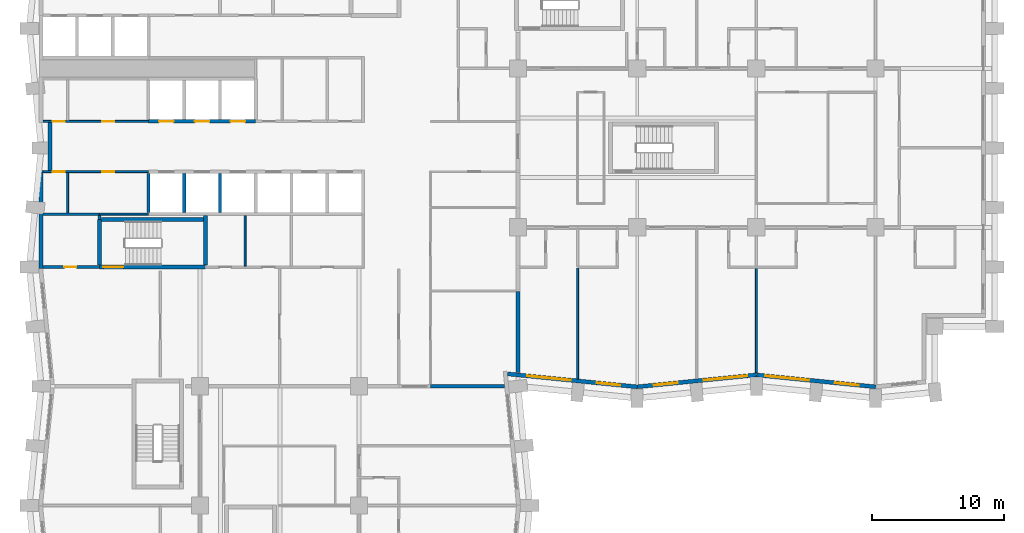
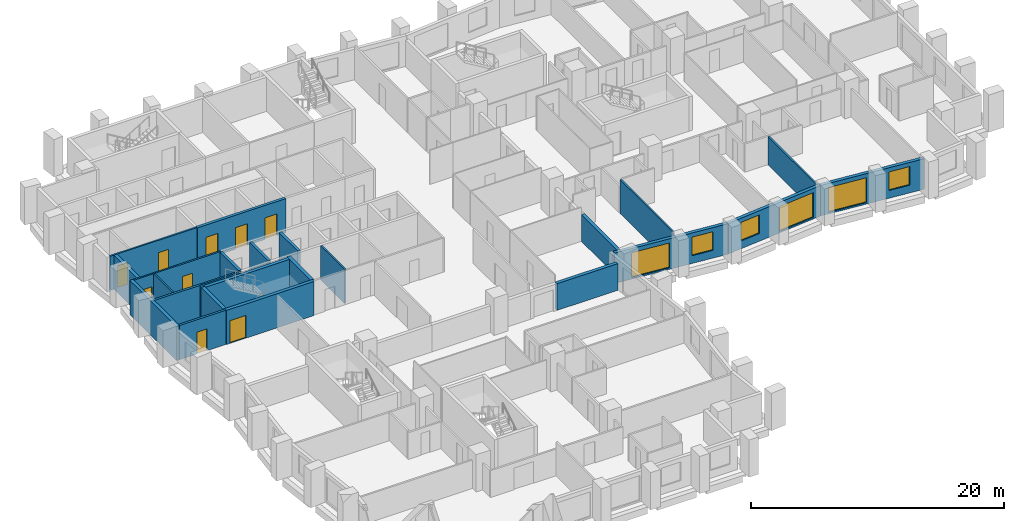
# One storey, part 5 of 13: 25 walls, 9 doors, 6 windows, 15 openings.
"""IFC4 building model written with IfcOpenShell, lengths in metres."""

from ifc_helpers import new_model, si_unit, direction, frame, frame_2d, origin, place, context, subcontext, project, spatial, rectangle, extrude, material, layer, layer_set, type_object, element, fill, save


model = new_model("IFC4")

# Units and contexts
model_context = context("Model", 3, precision=1e-05, world=origin(), true_north=direction((0.0, 1.0)))
body_context = subcontext(model_context, "Body", "Model", "MODEL_VIEW")
ifc_project = project(units=[si_unit("LENGTHUNIT", "METRE"), si_unit("AREAUNIT", "SQUARE_METRE"), si_unit("VOLUMEUNIT", "CUBIC_METRE"), si_unit("PLANEANGLEUNIT", "RADIAN"), si_unit("MASSUNIT", "GRAM", prefix="KILO")], contexts=[model_context])

# Site, building, storey
site_placement = place(None, origin())
site = spatial("IfcSite", under=ifc_project, at=site_placement, CompositionType="ELEMENT")
building_placement = place(site_placement, origin())
building = spatial("IfcBuilding", under=site, at=building_placement, Name="Brondeck Convention Tower", CompositionType="ELEMENT")
storey_placement = place(building_placement, frame((0.0, 0.0, 48.300048828125)))
storey = spatial("IfcBuildingStorey", under=building, at=storey_placement, Name="L09", CompositionType="ELEMENT", Elevation=48.300048828125)

# Walls
ifc_material_1 = material(Name="Concrete compartment wall C30/37", Category="concrete")
ifc_layer_1 = layer(ifc_material_1, 0.300048828125)
ifc_layer_set_1 = layer_set([ifc_layer_1], Name="Compartment wall 300")
wall_type_1 = type_object("IfcWallType", Name="Compartment wall 300", PredefinedType="PARTITIONING", material=ifc_layer_set_1)
wall_1_placement = place(storey_placement, frame((34.97509765625, 27.0, 0.0), z_axis=(0.0, 0.0, 1.0), x_axis=(-1.0, 0.0, 0.0)))
element("IfcWall", 1, at=wall_1_placement, inside=storey, type_object=wall_type_1, Name="FLR-L09-W041", PredefinedType="PARTITIONING", context=body_context, shape_type="SweptSolid", body=[
    extrude(rectangle(XDim=5.5751953125, YDim=0.300048828125, at=frame_2d((2.78759765625, 0.0))), origin(), (0.0, 0.0, 1.0), 2.579833984375),
])
wall_2_placement = place(storey_placement, frame((36.0, 34.14990234375, 0.0), z_axis=(0.0, 0.0, 1.0), x_axis=(0.0, -1.0, 0.0)))
element("IfcWall", 2, at=wall_2_placement, inside=storey, type_object=wall_type_1, Name="FLR-L09-W044", PredefinedType="PARTITIONING", context=body_context, shape_type="SweptSolid", body=[
    extrude(rectangle(XDim=6.125, YDim=0.300048828125, at=frame_2d((3.0625, 0.0))), origin(), (0.0, 0.0, 1.0), 2.579833984375),
])
ifc_material_2 = material(Name="Concrete C80/95", Category="concrete")
ifc_layer_2 = layer(ifc_material_2, 0.300048828125)
ifc_layer_set_2 = layer_set([ifc_layer_2], Name="Core outer wall 300 Concrete C80/95")
wall_type_2 = type_object("IfcWallType", Name="Core outer wall 300 Concrete C80/95", PredefinedType="SHEAR", material=ifc_layer_set_2)
wall_3_placement = place(storey_placement, frame((0.0, 35.89990234375, 0.0), z_axis=(0.0, 0.0, 1.0), x_axis=(0.0, 1.0, 0.0)))
element("IfcWall", 3, at=wall_3_placement, inside=storey, type_object=wall_type_2, Name="L09 core wall", PredefinedType="SHEAR", context=body_context, shape_type="SweptSolid", body=[
    extrude(rectangle(XDim=7.375, YDim=0.300048828125, at=frame_2d((3.6875, 0.0))), origin(), (0.0, 0.0, 1.0), 3.300048828125),
])
wall_4_placement = place(storey_placement, frame((0.64990234375, 43.27490234375, 0.0), z_axis=(0.0, 0.0, 1.0), x_axis=(0.0, 1.0, 0.0)))
element("IfcWall", 4, at=wall_4_placement, inside=storey, type_object=wall_type_2, Name="L09 core wall", PredefinedType="SHEAR", context=body_context, shape_type="SweptSolid", body=[
    extrude(rectangle(XDim=3.650146484375, YDim=0.300048828125, at=frame_2d((1.8251953125, 0.0))), origin(), (0.0, 0.0, 1.0), 3.300048828125),
])
ifc_material_3 = material(Name="Fire-rated gypsum board partition")
ifc_layer_3 = layer(ifc_material_3, 0.14990234375)
ifc_layer_set_3 = layer_set([ifc_layer_3], Name="Core partition 150 EI 60")
wall_type_3 = type_object("IfcWallType", Name="Core partition 150 EI 60", PredefinedType="PARTITIONING", material=ifc_layer_set_3)
wall_5_placement = place(storey_placement, frame((4.39990234375, 40.0, 0.0), z_axis=(0.0, 0.0, 1.0), x_axis=(1.0, 0.0, 0.0)))
element("IfcWall", 5, at=wall_5_placement, inside=storey, type_object=wall_type_3, Name="L09 core wall", PredefinedType="PARTITIONING", context=body_context, shape_type="SweptSolid", body=[
    extrude(rectangle(XDim=3.7001953125, YDim=0.14990234375, at=frame_2d((1.85009765625, 0.0))), origin(), (0.0, 0.0, 1.0), 3.300048828125),
])

# Wall, openings, doors
wall_6_placement = place(storey_placement, frame((0.14990234375, 43.199951171875, 0.0), z_axis=(0.0, 0.0, 1.0), x_axis=(1.0, 0.0, 0.0)))
wall_6 = element("IfcWall", 6, at=wall_6_placement, inside=storey, type_object=wall_type_3, Name="L09 core wall", PredefinedType="PARTITIONING", context=body_context, shape_type="SweptSolid", body=[
    extrude(rectangle(XDim=7.9501953125, YDim=0.14990234375, at=frame_2d((3.97509765625, 0.0))), origin(), (0.0, 0.0, 1.0), 3.300048828125),
])
opening_1_placement = place(wall_6_placement, frame((0.72509765625, 0.0, 0.0)))
opening_1 = element("IfcOpeningElement", 7, at=opening_1_placement, cuts=wall_6, Name="Opening C09-11", PredefinedType="OPENING", context=body_context, shape_type="SweptSolid", body=[
    extrude(rectangle(XDim=0.89990234375, YDim=2.10009765625, at=frame_2d((0.449951171875, 1.050048828125))), frame((0.0, 0.0849609375, 0.0), z_axis=(0.0, -1.0, 0.0), x_axis=(1.0, 0.0, 0.0)), (0.0, 0.0, 1.0), 0.169921875),
])
opening_2_placement = place(wall_6_placement, frame((4.449951171875, 0.0, 0.0)))
opening_2 = element("IfcOpeningElement", 8, at=opening_2_placement, cuts=wall_6, Name="Opening C09-12", PredefinedType="OPENING", context=body_context, shape_type="SweptSolid", body=[
    extrude(rectangle(XDim=0.89990234375, YDim=2.10009765625, at=frame_2d((0.449951171875, 1.050048828125))), frame((0.0, 0.0849609375, 0.0), z_axis=(0.0, -1.0, 0.0), x_axis=(1.0, 0.0, 0.0)), (0.0, 0.0, 1.0), 0.169921875),
])
ifc_material_4 = material(Name="Steel fire door", Category="steel")
door_type_1 = type_object("IfcDoorType", Name="Room door 900x2100 EI 60", OperationType="NOTDEFINED", PredefinedType="DOOR", material=ifc_material_4)
door_1_placement = place(opening_1_placement, origin())
door_1 = element("IfcDoor", 9, at=door_1_placement, inside=storey, type_object=door_type_1, Name="L09 Room door FZ-S-0-1", OperationType="SINGLE_SWING_LEFT", OverallHeight=2.10009765625, OverallWidth=0.89990234375, PredefinedType="DOOR", context=body_context, shape_type="SweptSolid", body=[
    extrude(rectangle(XDim=0.89990234375, YDim=2.10009765625, at=frame_2d((0.449951171875, 1.050048828125))), frame((0.0, 0.02490234375, 0.0), z_axis=(0.0, -1.0, 0.0), x_axis=(1.0, 0.0, 0.0)), (0.0, 0.0, 1.0), 0.050048828125),
])
fill(opening_1, door_1)
door_2_placement = place(opening_2_placement, origin())
door_2 = element("IfcDoor", 10, at=door_2_placement, inside=storey, type_object=door_type_1, Name="L09 Room door FZ-S-0-2", OperationType="SINGLE_SWING_RIGHT", OverallHeight=2.10009765625, OverallWidth=0.89990234375, PredefinedType="DOOR", context=body_context, shape_type="SweptSolid", body=[
    extrude(rectangle(XDim=0.89990234375, YDim=2.10009765625, at=frame_2d((0.449951171875, 1.050048828125))), frame((0.0, 0.02490234375, 0.0), z_axis=(0.0, -1.0, 0.0), x_axis=(1.0, 0.0, 0.0)), (0.0, 0.0, 1.0), 0.050048828125),
])
fill(opening_2, door_2)

wall_7_placement = place(storey_placement, frame((0.14990234375, 47.0, 0.0), z_axis=(0.0, 0.0, 1.0), x_axis=(1.0, 0.0, 0.0)))
wall_7 = element("IfcWall", 11, at=wall_7_placement, inside=storey, type_object=wall_type_3, Name="L09 core wall", PredefinedType="PARTITIONING", context=body_context, shape_type="SweptSolid", body=[
    extrude(rectangle(XDim=7.9501953125, YDim=0.14990234375, at=frame_2d((3.97509765625, 0.0))), origin(), (0.0, 0.0, 1.0), 3.300048828125),
])
opening_3_placement = place(wall_7_placement, frame((0.72509765625, 0.0, 0.0)))
opening_3 = element("IfcOpeningElement", 12, at=opening_3_placement, cuts=wall_7, Name="Opening C09-07", PredefinedType="OPENING", context=body_context, shape_type="SweptSolid", body=[
    extrude(rectangle(XDim=0.89990234375, YDim=2.10009765625, at=frame_2d((0.449951171875, 1.050048828125))), frame((0.0, 0.0849609375, 0.0), z_axis=(0.0, -1.0, 0.0), x_axis=(1.0, 0.0, 0.0)), (0.0, 0.0, 1.0), 0.169921875),
])
opening_4_placement = place(wall_7_placement, frame((4.449951171875, 0.0, 0.0)))
opening_4 = element("IfcOpeningElement", 13, at=opening_4_placement, cuts=wall_7, Name="Opening C09-08", PredefinedType="OPENING", context=body_context, shape_type="SweptSolid", body=[
    extrude(rectangle(XDim=0.89990234375, YDim=2.10009765625, at=frame_2d((0.449951171875, 1.050048828125))), frame((0.0, 0.0849609375, 0.0), z_axis=(0.0, -1.0, 0.0), x_axis=(1.0, 0.0, 0.0)), (0.0, 0.0, 1.0), 0.169921875),
])
door_3_placement = place(opening_3_placement, origin())
door_3 = element("IfcDoor", 14, at=door_3_placement, inside=storey, type_object=door_type_1, Name="L09 Room door FZ-N-0-1", OperationType="SINGLE_SWING_RIGHT", OverallHeight=2.10009765625, OverallWidth=0.89990234375, PredefinedType="DOOR", context=body_context, shape_type="SweptSolid", body=[
    extrude(rectangle(XDim=0.89990234375, YDim=2.10009765625, at=frame_2d((0.449951171875, 1.050048828125))), frame((0.0, 0.02490234375, 0.0), z_axis=(0.0, -1.0, 0.0), x_axis=(1.0, 0.0, 0.0)), (0.0, 0.0, 1.0), 0.050048828125),
])
fill(opening_3, door_3)
door_4_placement = place(opening_4_placement, origin())
door_4 = element("IfcDoor", 15, at=door_4_placement, inside=storey, type_object=door_type_1, Name="L09 Room door FZ-N-0-2", OperationType="SINGLE_SWING_LEFT", OverallHeight=2.10009765625, OverallWidth=0.89990234375, PredefinedType="DOOR", context=body_context, shape_type="SweptSolid", body=[
    extrude(rectangle(XDim=0.89990234375, YDim=2.10009765625, at=frame_2d((0.449951171875, 1.050048828125))), frame((0.0, 0.02490234375, 0.0), z_axis=(0.0, -1.0, 0.0), x_axis=(1.0, 0.0, 0.0)), (0.0, 0.0, 1.0), 0.050048828125),
])
fill(opening_4, door_4)

# Walls
wall_8_placement = place(storey_placement, frame((2.0, 40.10009765625, 0.0), z_axis=(0.0, 0.0, 1.0), x_axis=(0.0, 1.0, 0.0)))
element("IfcWall", 16, at=wall_8_placement, inside=storey, type_object=wall_type_3, Name="L09 core wall", PredefinedType="PARTITIONING", context=body_context, shape_type="SweptSolid", body=[
    extrude(rectangle(XDim=3.02490234375, YDim=0.14990234375, at=frame_2d((1.512451171875, 0.0))), origin(), (0.0, 0.0, 1.0), 3.300048828125),
])
wall_9_placement = place(storey_placement, frame((15.39990234375, 36.074951171875, 0.0), z_axis=(0.0, 0.0, 1.0), x_axis=(0.0, 1.0, 0.0)))
element("IfcWall", 17, at=wall_9_placement, inside=storey, type_object=wall_type_3, Name="L09 core wall", PredefinedType="PARTITIONING", context=body_context, shape_type="SweptSolid", body=[
    extrude(rectangle(XDim=3.800048828125, YDim=0.14990234375, at=frame_2d((1.89990234375, 0.0))), origin(), (0.0, 0.0, 1.0), 3.300048828125),
])

# Wall, openings, windows
ifc_material_5 = material(Name="Precast concrete C50/60 bronze finish", Category="concrete")
ifc_layer_4 = layer(ifc_material_5, 0.070068359375, Name="Bronze precast facing")
ifc_material_6 = material(Name="Mineral wool")
ifc_layer_5 = layer(ifc_material_6, 0.159912109375, Name="Insulation")
ifc_material_7 = material(Name="Concrete C35/45", Category="concrete")
ifc_layer_6 = layer(ifc_material_7, 0.070068359375, Name="Backing")
ifc_layer_set_4 = layer_set([ifc_layer_4, ifc_layer_5, ifc_layer_6], Name="External infill wall, precast concrete C50/60 bronze facing")
wall_type_4 = type_object("IfcWallType", Name="External infill wall, precast concrete C50/60 bronze facing", PredefinedType="SOLIDWALL", material=ifc_layer_set_4)
wall_10_placement = place(storey_placement, frame((45.014892578125, 26.95263671875, 0.0), z_axis=(0.0, 0.0, 1.0), x_axis=(-0.995036699177, 0.099508629231, 0.0)))
wall_10 = element("IfcWall", 18, at=wall_10_placement, inside=storey, type_object=wall_type_4, Name="ENV-EW-L09-P0-A-S-00", PredefinedType="SOLIDWALL", context=body_context, shape_type="SweptSolid", body=[
    extrude(rectangle(XDim=9.845703125, YDim=0.300048828125, at=frame_2d((4.9228515625, 0.0))), origin(), (0.0, 0.0, 1.0), 2.949951171875),
])
opening_5_placement = place(wall_10_placement, frame((1.291259765625, 0.0, 0.75)))
opening_5 = element("IfcOpeningElement", 19, at=opening_5_placement, cuts=wall_10, Name="Opening W10", PredefinedType="OPENING", context=body_context, shape_type="SweptSolid", body=[
    extrude(rectangle(XDim=1.800048828125, YDim=1.800048828125, at=frame_2d((0.89990234375, 0.89990234375))), frame((0.0, 0.159912109375, 0.0), z_axis=(0.0, -1.0, 0.0), x_axis=(1.0, 0.0, 0.0)), (0.0, 0.0, 1.0), 0.320068359375),
])
opening_6_placement = place(wall_10_placement, frame((5.063720703125, 0.0, 0.14990234375)))
opening_6 = element("IfcOpeningElement", 20, at=opening_6_placement, cuts=wall_10, Name="Opening W9", PredefinedType="OPENING", context=body_context, shape_type="SweptSolid", body=[
    extrude(rectangle(XDim=3.300048828125, YDim=2.39990234375, at=frame_2d((1.64990234375, 1.199951171875))), frame((0.0, 0.159912109375, 0.0), z_axis=(0.0, -1.0, 0.0), x_axis=(1.0, 0.0, 0.0)), (0.0, 0.0, 1.0), 0.320068359375),
])
ifc_material_8 = material(Name="Bronze tinted double glazing", Category="glass")
window_type_1 = type_object("IfcWindowType", Name="Glazed flute window, bronze tinted", PartitioningType="SINGLE_PANEL", PredefinedType="WINDOW", material=ifc_material_8)
window_1_placement = place(opening_6_placement, origin())
window_1 = element("IfcWindow", 21, at=window_1_placement, inside=storey, type_object=window_type_1, Name="ENV-WN-L09-P0-A-S-00", OverallHeight=2.39990234375, OverallWidth=3.300048828125, PartitioningType="SINGLE_PANEL", PredefinedType="WINDOW", context=body_context, shape_type="SweptSolid", body=[
    extrude(rectangle(XDim=3.300048828125, YDim=2.39990234375, at=frame_2d((1.64990234375, 1.199951171875))), frame((0.0, 0.030029296875, 0.0), z_axis=(0.0, -1.0, 0.0), x_axis=(1.0, 0.0, 0.0)), (0.0, 0.0, 1.0), 0.06005859375),
])
fill(opening_6, window_1)
window_type_2 = type_object("IfcWindowType", Name="Punched window, bronze tinted", PartitioningType="SINGLE_PANEL", PredefinedType="WINDOW", material=ifc_material_8)
window_2_placement = place(opening_5_placement, origin())
window_2 = element("IfcWindow", 22, at=window_2_placement, inside=storey, type_object=window_type_2, Name="ENV-WN-L09-P0-A-S-01", OverallHeight=1.800048828125, OverallWidth=1.800048828125, PartitioningType="SINGLE_PANEL", PredefinedType="WINDOW", context=body_context, shape_type="SweptSolid", body=[
    extrude(rectangle(XDim=1.800048828125, YDim=1.800048828125, at=frame_2d((0.89990234375, 0.89990234375))), frame((0.0, 0.030029296875, 0.0), z_axis=(0.0, -1.0, 0.0), x_axis=(1.0, 0.0, 0.0)), (0.0, 0.0, 1.0), 0.06005859375),
])
fill(opening_5, window_2)

wall_11_placement = place(storey_placement, frame((54.014892578125, 27.855712890625, 0.0), z_axis=(0.0, 0.0, 1.0), x_axis=(-0.995037993253, -0.099495688264, 0.0)))
wall_11 = element("IfcWall", 23, at=wall_11_placement, inside=storey, type_object=wall_type_4, Name="ENV-EW-L09-P0-A-S-02", PredefinedType="SOLIDWALL", context=body_context, shape_type="SweptSolid", body=[
    extrude(rectangle(XDim=9.030029296875, YDim=0.300048828125, at=frame_2d((4.51513671875, 0.0))), origin(), (0.0, 0.0, 1.0), 2.949951171875),
])
opening_7_placement = place(wall_11_placement, frame((0.711181640625, 0.0, 0.14990234375)))
opening_7 = element("IfcOpeningElement", 24, at=opening_7_placement, cuts=wall_11, Name="Opening W9", PredefinedType="OPENING", context=body_context, shape_type="SweptSolid", body=[
    extrude(rectangle(XDim=3.300048828125, YDim=2.39990234375, at=frame_2d((1.64990234375, 1.199951171875))), frame((0.0, 0.159912109375, 0.0), z_axis=(0.0, -1.0, 0.0), x_axis=(1.0, 0.0, 0.0)), (0.0, 0.0, 1.0), 0.320068359375),
])
opening_8_placement = place(wall_11_placement, frame((5.983642578125, 0.0, 0.75)))
opening_8 = element("IfcOpeningElement", 25, at=opening_8_placement, cuts=wall_11, Name="Opening W10", PredefinedType="OPENING", context=body_context, shape_type="SweptSolid", body=[
    extrude(rectangle(XDim=1.800048828125, YDim=1.800048828125, at=frame_2d((0.89990234375, 0.89990234375))), frame((0.0, 0.159912109375, 0.0), z_axis=(0.0, -1.0, 0.0), x_axis=(1.0, 0.0, 0.0)), (0.0, 0.0, 1.0), 0.320068359375),
])
window_3_placement = place(opening_7_placement, origin())
window_3 = element("IfcWindow", 26, at=window_3_placement, inside=storey, type_object=window_type_1, Name="ENV-WN-L09-P0-A-S-03", OverallHeight=2.39990234375, OverallWidth=3.300048828125, PartitioningType="SINGLE_PANEL", PredefinedType="WINDOW", context=body_context, shape_type="SweptSolid", body=[
    extrude(rectangle(XDim=3.300048828125, YDim=2.39990234375, at=frame_2d((1.64990234375, 1.199951171875))), frame((0.0, 0.030029296875, 0.0), z_axis=(0.0, -1.0, 0.0), x_axis=(1.0, 0.0, 0.0)), (0.0, 0.0, 1.0), 0.06005859375),
])
fill(opening_7, window_3)
window_4_placement = place(opening_8_placement, origin())
window_4 = element("IfcWindow", 27, at=window_4_placement, inside=storey, type_object=window_type_2, Name="ENV-WN-L09-P0-A-S-02", OverallHeight=1.800048828125, OverallWidth=1.800048828125, PartitioningType="SINGLE_PANEL", PredefinedType="WINDOW", context=body_context, shape_type="SweptSolid", body=[
    extrude(rectangle(XDim=1.800048828125, YDim=1.800048828125, at=frame_2d((0.89990234375, 0.89990234375))), frame((0.0, 0.030029296875, 0.0), z_axis=(0.0, -1.0, 0.0), x_axis=(1.0, 0.0, 0.0)), (0.0, 0.0, 1.0), 0.06005859375),
])
fill(opening_8, window_4)

wall_12_placement = place(storey_placement, frame((63.014892578125, 26.95263671875, 0.0), z_axis=(0.0, 0.0, 1.0), x_axis=(-0.995035316196, 0.099522457379, 0.0)))
wall_12 = element("IfcWall", 28, at=wall_12_placement, inside=storey, type_object=wall_type_4, Name="ENV-EW-L09-P0-A-S-04", PredefinedType="SOLIDWALL", context=body_context, shape_type="SweptSolid", body=[
    extrude(rectangle(XDim=9.030029296875, YDim=0.300048828125, at=frame_2d((4.51513671875, 0.0))), origin(), (0.0, 0.0, 1.0), 2.949951171875),
])
opening_9_placement = place(wall_12_placement, frame((1.291259765625, 0.0, 0.75)))
opening_9 = element("IfcOpeningElement", 29, at=opening_9_placement, cuts=wall_12, Name="Opening W10", PredefinedType="OPENING", context=body_context, shape_type="SweptSolid", body=[
    extrude(rectangle(XDim=1.800048828125, YDim=1.800048828125, at=frame_2d((0.89990234375, 0.89990234375))), frame((0.0, 0.159912109375, 0.0), z_axis=(0.0, -1.0, 0.0), x_axis=(1.0, 0.0, 0.0)), (0.0, 0.0, 1.0), 0.320068359375),
])
opening_10_placement = place(wall_12_placement, frame((5.063720703125, 0.0, 0.14990234375)))
opening_10 = element("IfcOpeningElement", 30, at=opening_10_placement, cuts=wall_12, Name="Opening W9", PredefinedType="OPENING", context=body_context, shape_type="SweptSolid", body=[
    extrude(rectangle(XDim=3.300048828125, YDim=2.39990234375, at=frame_2d((1.64990234375, 1.199951171875))), frame((0.0, 0.159912109375, 0.0), z_axis=(0.0, -1.0, 0.0), x_axis=(1.0, 0.0, 0.0)), (0.0, 0.0, 1.0), 0.320068359375),
])
window_5_placement = place(opening_10_placement, origin())
window_5 = element("IfcWindow", 31, at=window_5_placement, inside=storey, type_object=window_type_1, Name="ENV-WN-L09-P0-A-S-04", OverallHeight=2.39990234375, OverallWidth=3.300048828125, PartitioningType="SINGLE_PANEL", PredefinedType="WINDOW", context=body_context, shape_type="SweptSolid", body=[
    extrude(rectangle(XDim=3.300048828125, YDim=2.39990234375, at=frame_2d((1.64990234375, 1.199951171875))), frame((0.0, 0.030029296875, 0.0), z_axis=(0.0, -1.0, 0.0), x_axis=(1.0, 0.0, 0.0)), (0.0, 0.0, 1.0), 0.06005859375),
])
fill(opening_10, window_5)
window_6_placement = place(opening_9_placement, origin())
window_6 = element("IfcWindow", 32, at=window_6_placement, inside=storey, type_object=window_type_2, Name="ENV-WN-L09-P0-A-S-05", OverallHeight=1.800048828125, OverallWidth=1.800048828125, PartitioningType="SINGLE_PANEL", PredefinedType="WINDOW", context=body_context, shape_type="SweptSolid", body=[
    extrude(rectangle(XDim=1.800048828125, YDim=1.800048828125, at=frame_2d((0.89990234375, 0.89990234375))), frame((0.0, 0.030029296875, 0.0), z_axis=(0.0, -1.0, 0.0), x_axis=(1.0, 0.0, 0.0)), (0.0, 0.0, 1.0), 0.06005859375),
])
fill(opening_9, window_6)

# Walls
ifc_material_9 = material(Name="Double gypsum board acoustic wall")
ifc_layer_7 = layer(ifc_material_9, 0.14990234375)
ifc_layer_set_5 = layer_set([ifc_layer_7], Name="Guest room party wall 150")
wall_type_5 = type_object("IfcWallType", Name="Guest room party wall 150", PredefinedType="PARTITIONING", material=ifc_layer_set_5)
wall_13_placement = place(storey_placement, frame((40.5, 35.925048828125, 0.0), z_axis=(0.0, 0.0, 1.0), x_axis=(0.0, -1.0, 0.0)))
element("IfcWall", 33, at=wall_13_placement, inside=storey, type_object=wall_type_5, Name="FLR-L09-W049", PredefinedType="PARTITIONING", context=body_context, shape_type="SweptSolid", body=[
    extrude(rectangle(XDim=8.35009765625, YDim=0.14990234375, at=frame_2d((4.175048828125, 0.0))), origin(), (0.0, 0.0, 1.0), 3.280029296875),
])
wall_14_placement = place(storey_placement, frame((54.0, 35.925048828125, 0.0), z_axis=(0.0, 0.0, 1.0), x_axis=(0.0, -1.0, 0.0)))
element("IfcWall", 34, at=wall_14_placement, inside=storey, type_object=wall_type_5, Name="FLR-L09-W050", PredefinedType="PARTITIONING", context=body_context, shape_type="SweptSolid", body=[
    extrude(rectangle(XDim=7.900146484375, YDim=0.14990234375, at=frame_2d((3.9501953125, 0.0))), origin(), (0.0, 0.0, 1.0), 2.72998046875),
])

# Wall, openings, doors
ifc_layer_8 = layer(ifc_material_2, 0.25)
ifc_layer_set_6 = layer_set([ifc_layer_8], Name="Lift shaft wall 250 Concrete C80/95")
wall_type_6 = type_object("IfcWallType", Name="Lift shaft wall 250 Concrete C80/95", PredefinedType="SHEAR", material=ifc_layer_set_6)
wall_15_placement = place(storey_placement, frame((8.10009765625, 47.0, 0.0), z_axis=(0.0, 0.0, 1.0), x_axis=(1.0, 0.0, 0.0)))
wall_15 = element("IfcWall", 35, at=wall_15_placement, inside=storey, type_object=wall_type_6, Name="L09 core wall", PredefinedType="SHEAR", context=body_context, shape_type="SweptSolid", body=[
    extrude(rectangle(XDim=8.099853515625, YDim=0.25, at=frame_2d((4.0498046875, 0.0))), origin(), (0.0, 0.0, 1.0), 3.300048828125),
])
opening_11_placement = place(wall_15_placement, frame((0.800048828125, 0.0, 0.0)))
opening_11 = element("IfcOpeningElement", 36, at=opening_11_placement, cuts=wall_15, Name="Opening C09-29", PredefinedType="OPENING", context=body_context, shape_type="SweptSolid", body=[
    extrude(rectangle(XDim=1.10009765625, YDim=2.10009765625, at=frame_2d((0.550048828125, 1.050048828125))), frame((0.0, 0.135009765625, 0.0), z_axis=(0.0, -1.0, 0.0), x_axis=(1.0, 0.0, 0.0)), (0.0, 0.0, 1.0), 0.27001953125),
])
opening_12_placement = place(wall_15_placement, frame((3.5, 0.0, 0.0)))
opening_12 = element("IfcOpeningElement", 37, at=opening_12_placement, cuts=wall_15, Name="Opening C09-30", PredefinedType="OPENING", context=body_context, shape_type="SweptSolid", body=[
    extrude(rectangle(XDim=1.10009765625, YDim=2.10009765625, at=frame_2d((0.550048828125, 1.050048828125))), frame((0.0, 0.135009765625, 0.0), z_axis=(0.0, -1.0, 0.0), x_axis=(1.0, 0.0, 0.0)), (0.0, 0.0, 1.0), 0.27001953125),
])
opening_13_placement = place(wall_15_placement, frame((6.199951171875, 0.0, 0.0)))
opening_13 = element("IfcOpeningElement", 38, at=opening_13_placement, cuts=wall_15, Name="Opening C09-31", PredefinedType="OPENING", context=body_context, shape_type="SweptSolid", body=[
    extrude(rectangle(XDim=1.10009765625, YDim=2.10009765625, at=frame_2d((0.550048828125, 1.050048828125))), frame((0.0, 0.135009765625, 0.0), z_axis=(0.0, -1.0, 0.0), x_axis=(1.0, 0.0, 0.0)), (0.0, 0.0, 1.0), 0.27001953125),
])
ifc_material_10 = material(Name="Stainless steel lift door", Category="steel")
door_type_2 = type_object("IfcDoorType", Name="Lift landing door 1100x2100 EI 180", OperationType="DOUBLE_DOOR_SLIDING", PredefinedType="DOOR", material=ifc_material_10)
door_5_placement = place(opening_11_placement, origin())
door_5 = element("IfcDoor", 39, at=door_5_placement, inside=storey, type_object=door_type_2, Name="L09 Lift landing door LR4", OperationType="DOUBLE_DOOR_SLIDING", OverallHeight=2.10009765625, OverallWidth=1.10009765625, PredefinedType="DOOR", context=body_context, shape_type="SweptSolid", body=[
    extrude(rectangle(XDim=1.10009765625, YDim=2.10009765625, at=frame_2d((0.550048828125, 1.050048828125))), frame((0.0, 0.02490234375, 0.0), z_axis=(0.0, -1.0, 0.0), x_axis=(1.0, 0.0, 0.0)), (0.0, 0.0, 1.0), 0.050048828125),
])
fill(opening_11, door_5)
door_6_placement = place(opening_12_placement, origin())
door_6 = element("IfcDoor", 40, at=door_6_placement, inside=storey, type_object=door_type_2, Name="L09 Lift landing door LR5", OperationType="DOUBLE_DOOR_SLIDING", OverallHeight=2.10009765625, OverallWidth=1.10009765625, PredefinedType="DOOR", context=body_context, shape_type="SweptSolid", body=[
    extrude(rectangle(XDim=1.10009765625, YDim=2.10009765625, at=frame_2d((0.550048828125, 1.050048828125))), frame((0.0, 0.02490234375, 0.0), z_axis=(0.0, -1.0, 0.0), x_axis=(1.0, 0.0, 0.0)), (0.0, 0.0, 1.0), 0.050048828125),
])
fill(opening_12, door_6)
door_7_placement = place(opening_13_placement, origin())
door_7 = element("IfcDoor", 41, at=door_7_placement, inside=storey, type_object=door_type_2, Name="L09 Lift landing door LR6", OperationType="DOUBLE_DOOR_SLIDING", OverallHeight=2.10009765625, OverallWidth=1.10009765625, PredefinedType="DOOR", context=body_context, shape_type="SweptSolid", body=[
    extrude(rectangle(XDim=1.10009765625, YDim=2.10009765625, at=frame_2d((0.550048828125, 1.050048828125))), frame((0.0, 0.02490234375, 0.0), z_axis=(0.0, -1.0, 0.0), x_axis=(1.0, 0.0, 0.0)), (0.0, 0.0, 1.0), 0.050048828125),
])
fill(opening_13, door_7)

# Walls
for number, where, z_axis, x_axis, name in (
    (42, (8.10009765625, 40.125, 0.0), (0.0, 0.0, 1.0), (0.0, 1.0, 0.0), "L09 core wall"),
    (43, (10.800048828125, 40.125, 0.0), (0.0, 0.0, 1.0), (0.0, 1.0, 0.0), "L09 core wall"),
    (44, (13.5, 40.125, 0.0), (0.0, 0.0, 1.0), (0.0, 1.0, 0.0), "L09 core wall"),
):
    element("IfcWall", number, at=place(storey_placement, frame(where, z_axis=z_axis, x_axis=x_axis)), inside=storey, type_object=wall_type_6, Name=name, PredefinedType="SHEAR", context=body_context, shape_type="SweptSolid", body=[
        extrude(rectangle(XDim=2.949951171875, YDim=0.25, at=frame_2d((1.47509765625, 0.0))), origin(), (0.0, 0.0, 1.0), 3.300048828125),
    ])

# Wall, opening, door
ifc_layer_9 = layer(ifc_material_3, 0.199951171875)
ifc_layer_set_7 = layer_set([ifc_layer_9], Name="Riser wall 200 EI 120")
wall_type_7 = type_object("IfcWallType", Name="Riser wall 200 EI 120", PredefinedType="PARTITIONING", material=ifc_layer_set_7)
wall_16_placement = place(storey_placement, frame((0.14990234375, 36.0, 0.0), z_axis=(0.0, 0.0, 1.0), x_axis=(1.0, 0.0, 0.0)))
wall_16 = element("IfcWall", 45, at=wall_16_placement, inside=storey, type_object=wall_type_7, Name="L09 core wall", PredefinedType="PARTITIONING", context=body_context, shape_type="SweptSolid", body=[
    extrude(rectangle(XDim=4.25, YDim=0.199951171875, at=frame_2d((2.125, 0.0))), origin(), (0.0, 0.0, 1.0), 3.300048828125),
])
opening_14_placement = place(wall_16_placement, frame((1.60009765625, 0.0, 0.0)))
opening_14 = element("IfcOpeningElement", 46, at=opening_14_placement, cuts=wall_16, Name="Opening C09-06", PredefinedType="OPENING", context=body_context, shape_type="SweptSolid", body=[
    extrude(rectangle(XDim=0.89990234375, YDim=2.10009765625, at=frame_2d((0.449951171875, 1.050048828125))), frame((0.0, 0.10986328125, 0.0), z_axis=(0.0, -1.0, 0.0), x_axis=(1.0, 0.0, 0.0)), (0.0, 0.0, 1.0), 0.219970703125),
])
door_type_3 = type_object("IfcDoorType", Name="Riser door 900x2100 EI 120", OperationType="NOTDEFINED", PredefinedType="DOOR", material=ifc_material_4)
door_8_placement = place(opening_14_placement, origin())
door_8 = element("IfcDoor", 47, at=door_8_placement, inside=storey, type_object=door_type_3, Name="L09 Riser door FRW-1", OperationType="SINGLE_SWING_LEFT", OverallHeight=2.10009765625, OverallWidth=0.89990234375, PredefinedType="DOOR", context=body_context, shape_type="SweptSolid", body=[
    extrude(rectangle(XDim=0.89990234375, YDim=2.10009765625, at=frame_2d((0.449951171875, 1.050048828125))), frame((0.0, 0.02490234375, 0.0), z_axis=(0.0, -1.0, 0.0), x_axis=(1.0, 0.0, 0.0)), (0.0, 0.0, 1.0), 0.050048828125),
])
fill(opening_14, door_8)

# Walls
wall_17_placement = place(storey_placement, frame((0.14990234375, 40.0, 0.0), z_axis=(0.0, 0.0, 1.0), x_axis=(1.0, 0.0, 0.0)))
element("IfcWall", 48, at=wall_17_placement, inside=storey, type_object=wall_type_7, Name="L09 core wall", PredefinedType="PARTITIONING", context=body_context, shape_type="SweptSolid", body=[
    extrude(rectangle(XDim=4.25, YDim=0.199951171875, at=frame_2d((2.125, 0.0))), origin(), (0.0, 0.0, 1.0), 3.300048828125),
])
wall_18_placement = place(storey_placement, frame((4.39990234375, 39.60009765625, 0.0), z_axis=(0.0, 0.0, 1.0), x_axis=(0.0, 1.0, 0.0)))
element("IfcWall", 49, at=wall_18_placement, inside=storey, type_object=wall_type_7, Name="L09 core wall", PredefinedType="PARTITIONING", context=body_context, shape_type="SweptSolid", body=[
    extrude(rectangle(XDim=0.2998046875, YDim=0.199951171875, at=frame_2d((0.14990234375, 0.0))), origin(), (0.0, 0.0, 1.0), 3.300048828125),
])

# Wall, opening, door
ifc_layer_10 = layer(ifc_material_2, 0.300048828125)
ifc_layer_set_8 = layer_set([ifc_layer_10], Name="Stair enclosure wall 300 Concrete C80/95")
wall_type_8 = type_object("IfcWallType", Name="Stair enclosure wall 300 Concrete C80/95", PredefinedType="SHEAR", material=ifc_layer_set_8)
wall_19_placement = place(storey_placement, frame((4.39990234375, 36.0, 0.0), z_axis=(0.0, 0.0, 1.0), x_axis=(1.0, 0.0, 0.0)))
wall_19 = element("IfcWall", 50, at=wall_19_placement, inside=storey, type_object=wall_type_8, Name="L09 core wall", PredefinedType="SHEAR", context=body_context, shape_type="SweptSolid", body=[
    extrude(rectangle(XDim=8.0, YDim=0.300048828125, at=frame_2d((4.0, 0.0))), origin(), (0.0, 0.0, 1.0), 3.300048828125),
])
opening_15_placement = place(wall_19_placement, frame((0.300048828125, 0.0, 0.0)))
opening_15 = element("IfcOpeningElement", 51, at=opening_15_placement, cuts=wall_19, Name="Opening C09-15", PredefinedType="OPENING", context=body_context, shape_type="SweptSolid", body=[
    extrude(rectangle(XDim=1.5, YDim=2.199951171875, at=frame_2d((0.75, 1.10009765625))), frame((0.0, 0.159912109375, 0.0), z_axis=(0.0, -1.0, 0.0), x_axis=(1.0, 0.0, 0.0)), (0.0, 0.0, 1.0), 0.320068359375),
])
door_type_4 = type_object("IfcDoorType", Name="Stair door 1500x2200 EI 90", OperationType="NOTDEFINED", PredefinedType="DOOR", material=ifc_material_4)
door_9_placement = place(opening_15_placement, origin())
door_9 = element("IfcDoor", 52, at=door_9_placement, inside=storey, type_object=door_type_4, Name="L09 Stair door ST-1", OperationType="SINGLE_SWING_RIGHT", OverallHeight=2.199951171875, OverallWidth=1.5, PredefinedType="DOOR", context=body_context, shape_type="SweptSolid", body=[
    extrude(rectangle(XDim=1.5, YDim=2.199951171875, at=frame_2d((0.75, 1.10009765625))), frame((0.0, 0.02490234375, 0.0), z_axis=(0.0, -1.0, 0.0), x_axis=(1.0, 0.0, 0.0)), (0.0, 0.0, 1.0), 0.050048828125),
])
fill(opening_15, door_9)

# Walls
wall_20_placement = place(storey_placement, frame((4.550048828125, 39.60009765625, 0.0), z_axis=(0.0, 0.0, 1.0), x_axis=(1.0, 0.0, 0.0)))
element("IfcWall", 53, at=wall_20_placement, inside=storey, type_object=wall_type_8, Name="L09 core wall", PredefinedType="SHEAR", context=body_context, shape_type="SweptSolid", body=[
    extrude(rectangle(XDim=7.699951171875, YDim=0.300048828125, at=frame_2d((3.85009765625, 0.0))), origin(), (0.0, 0.0, 1.0), 3.300048828125),
])
wall_21_placement = place(storey_placement, frame((4.39990234375, 36.14990234375, 0.0), z_axis=(0.0, 0.0, 1.0), x_axis=(0.0, 1.0, 0.0)))
element("IfcWall", 54, at=wall_21_placement, inside=storey, type_object=wall_type_8, Name="L09 core wall", PredefinedType="SHEAR", context=body_context, shape_type="SweptSolid", body=[
    extrude(rectangle(XDim=3.4501953125, YDim=0.300048828125, at=frame_2d((1.72509765625, 0.0))), origin(), (0.0, 0.0, 1.0), 3.300048828125),
])
wall_22_placement = place(storey_placement, frame((12.39990234375, 36.14990234375, 0.0), z_axis=(0.0, 0.0, 1.0), x_axis=(0.0, 1.0, 0.0)))
element("IfcWall", 55, at=wall_22_placement, inside=storey, type_object=wall_type_8, Name="L09 core wall", PredefinedType="SHEAR", context=body_context, shape_type="SweptSolid", body=[
    extrude(rectangle(XDim=3.72509765625, YDim=0.300048828125, at=frame_2d((1.862548828125, 0.0))), origin(), (0.0, 0.0, 1.0), 3.300048828125),
])

save(model, "model.ifc")
